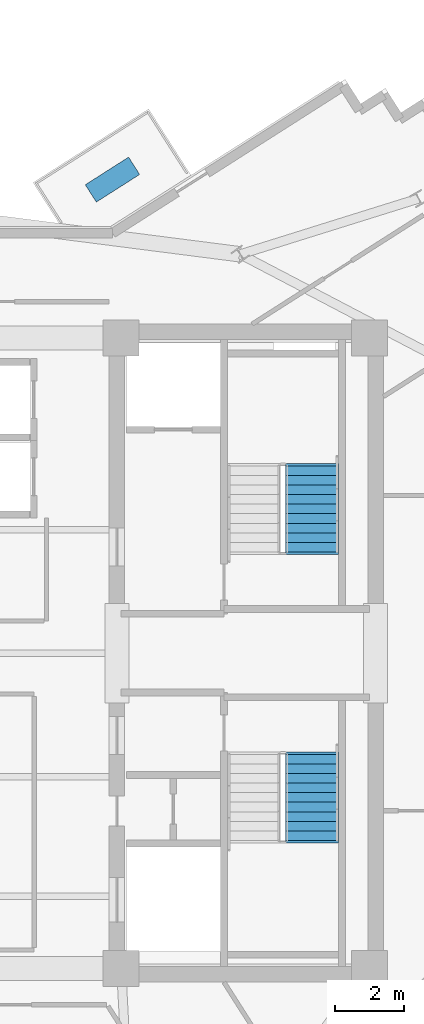
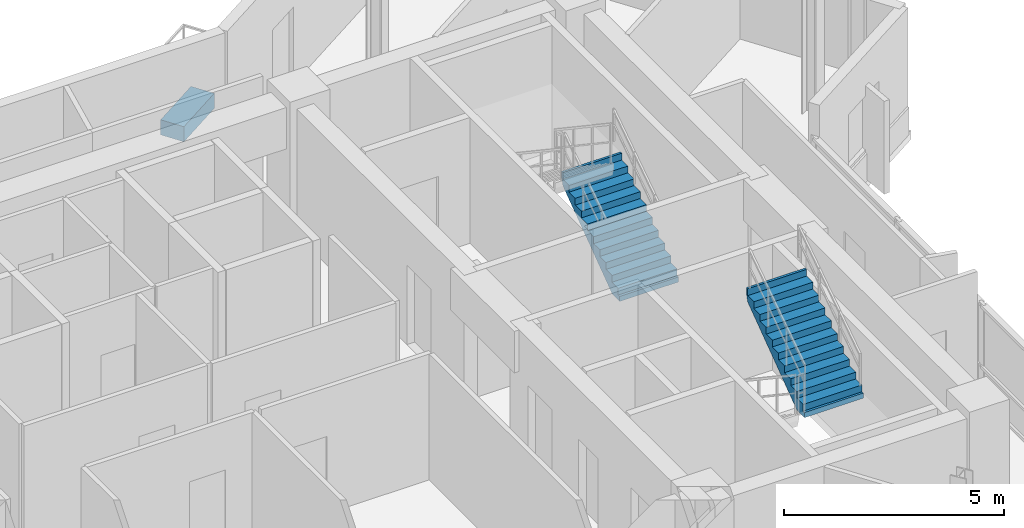
# One storey, part 9 of 12: 2 stair flights, 1 discrete accessory, 2 elements without a shape of their own.
"""IFC4 building model written with IfcOpenShell, lengths in metres."""

import ifcopenshell
import ifcopenshell.guid

model = None  # the IFC model being written
_history = None  # IfcOwnerHistory: only IFC2X3 demands one
_inside = {}  # id of a spatial element -> (the spatial element, [elements in it])
_under = {}  # id of a project, library or spatial element -> (it, [spatial elements below it])
_declared = {}  # id of a project -> (the project, [libraries it declares])
_typed = {}  # id of a type object -> (the type object, [elements of that type])
_made_of = {}  # id of a material, layer set ... -> (it, [elements and type objects made of it])


def new_model(schema):
    """Start an empty IFC model of exactly this schema.

    Asked for "IFC4X3", IfcOpenShell would pick the latest addendum, in which some entities
    have other attributes; the version numbers below select the first issue.
    IFC2X3 requires an IfcOwnerHistory on every rooted entity: one is made here for all.
    """
    global model, _history
    if schema == "IFC4X3":
        model = ifcopenshell.file(schema_version=(4, 3, 0, 0))
    else:
        model = ifcopenshell.file(schema=schema)
    _inside.clear()
    _under.clear()
    _declared.clear()
    _typed.clear()
    _made_of.clear()
    _history = None
    if model.schema == "IFC2X3":
        org = make("IfcOrganization", Name="unknown")
        user = make(
            "IfcPersonAndOrganization",
            ThePerson=make("IfcPerson", FamilyName="unknown"),
            TheOrganization=org,
        )
        app = make(
            "IfcApplication",
            ApplicationDeveloper=org,
            Version="unknown",
            ApplicationFullName="unknown",
            ApplicationIdentifier="unknown",
        )
        _history = make(
            "IfcOwnerHistory",
            OwningUser=user,
            OwningApplication=app,
            ChangeAction="ADDED",
            CreationDate=0,
        )
    return model


def make(cls, **values):
    """One entity of the class cls with the attributes given. An attribute that is None is left unset."""
    return model.create_entity(
        cls, **{name: value for name, value in values.items() if value is not None}
    )


def rooted(cls, **values):
    """An entity with a GlobalId (a new one), such as an element, a storey or a relation."""
    return make(cls, GlobalId=ifcopenshell.guid.new(), OwnerHistory=_history, **values)


def si_unit(unit_type, name, prefix=None):
    """IfcSIUnit, for example si_unit("LENGTHUNIT", "METRE", prefix="MILLI")."""
    return make("IfcSIUnit", UnitType=unit_type, Prefix=prefix, Name=name)


def assignment(units):
    """IfcUnitAssignment: the units of a project."""
    return None if units is None else make("IfcUnitAssignment", Units=units)


def point(xyz):
    """IfcCartesianPoint."""
    return None if xyz is None else make("IfcCartesianPoint", Coordinates=xyz)


def direction(xyz):
    """IfcDirection."""
    return None if xyz is None else make("IfcDirection", DirectionRatios=xyz)


def frame(location, z_axis=None, x_axis=None):
    """IfcAxis2Placement3D, a coordinate frame: its origin and axes. An axis left out is left unset."""
    return make(
        "IfcAxis2Placement3D",
        Location=point(location),
        Axis=direction(z_axis),
        RefDirection=direction(x_axis),
    )


def frame_2d(location, x_axis=None):
    """IfcAxis2Placement2D, a coordinate frame in the plane: its origin and x axis."""
    return make(
        "IfcAxis2Placement2D", Location=point(location), RefDirection=direction(x_axis)
    )


def origin():
    """The frame at (0, 0, 0) with its axes left unset."""
    return frame((0.0, 0.0, 0.0))


def origin_2d():
    """The frame at (0, 0) in the plane with its x axis left unset."""
    return frame_2d((0.0, 0.0))


def place(relative_to, where):
    """IfcLocalPlacement: puts the frame where relative to a parent placement (None: the world)."""
    return make(
        "IfcLocalPlacement", PlacementRelTo=relative_to, RelativePlacement=where
    )


def context(
    kind, dimensions, precision=None, world=None, true_north=None, identifier=None
):
    """IfcGeometricRepresentationContext, for example the 3D "Model" context."""
    return make(
        "IfcGeometricRepresentationContext",
        ContextIdentifier=identifier,
        ContextType=kind,
        CoordinateSpaceDimension=dimensions,
        Precision=precision,
        WorldCoordinateSystem=world,
        TrueNorth=true_north,
    )


def subcontext(parent, identifier, kind, view, scale=None):
    """IfcGeometricRepresentationSubContext, for example "Body" below "Model"."""
    return make(
        "IfcGeometricRepresentationSubContext",
        ContextIdentifier=identifier,
        ContextType=kind,
        ParentContext=parent,
        TargetScale=scale,
        TargetView=view,
    )


def project(units=None, contexts=None):
    """IfcProject with its units and contexts."""
    return rooted(
        "IfcProject",
        Name="project",
        RepresentationContexts=contexts,
        UnitsInContext=assignment(units),
    )


def spatial(cls, under=None, at=None, **own):
    """A site, building, storey or space (cls), placed at a placement, below another one or the project."""
    s = rooted(cls, ObjectPlacement=at, **own)
    if under is not None:
        _under.setdefault(under.id(), (under, []))[1].append(s)
    return s


def polyline(points):
    """IfcPolyline through the points."""
    return make("IfcPolyline", Points=[point(p) for p in points])


def profile(cls, at=None, kind="AREA", **sizes):
    """A parametric profile (cls). Its sizes go by their IFC names, for example OverallWidth=200.0."""
    return make(cls, ProfileType=kind, Position=at, **sizes)


def rectangle(**sizes):
    """IfcRectangleProfileDef."""
    return profile("IfcRectangleProfileDef", **sizes)


def outline(outer, holes=None, kind="AREA"):
    """IfcArbitraryClosedProfileDef: a profile drawn as a closed curve; with holes, ...WithVoids."""
    if holes is None:
        return make("IfcArbitraryClosedProfileDef", ProfileType=kind, OuterCurve=outer)
    return make(
        "IfcArbitraryProfileDefWithVoids",
        ProfileType=kind,
        OuterCurve=outer,
        InnerCurves=holes,
    )


def extrude(swept, where, along, depth):
    """IfcExtrudedAreaSolid: the profile swept, set in the frame where, extruded along a direction by depth."""
    return make(
        "IfcExtrudedAreaSolid",
        SweptArea=swept,
        Position=where,
        ExtrudedDirection=direction(along),
        Depth=depth,
    )


def shape(context_of_items, identifier, shape_type, items):
    """IfcShapeRepresentation: the items that make up one representation, for example the "Body"."""
    return make(
        "IfcShapeRepresentation",
        ContextOfItems=context_of_items,
        RepresentationIdentifier=identifier,
        RepresentationType=shape_type,
        Items=items,
    )


def source(mapping_origin, context_of_items, identifier, shape_type, items):
    """IfcRepresentationMap: a shape defined once, which mapped items show again and again."""
    return make(
        "IfcRepresentationMap",
        MappingOrigin=mapping_origin,
        MappedRepresentation=shape(context_of_items, identifier, shape_type, items),
    )


def transform(
    local_origin,
    x_axis=None,
    y_axis=None,
    z_axis=None,
    scale=None,
    scale2=None,
    scale3=None,
    uniform=True,
):
    """IfcCartesianTransformationOperator3D, or its non-uniform kind. x_axis, y_axis, z_axis: its Axis1, 2, 3."""
    if uniform:
        return make(
            "IfcCartesianTransformationOperator3D",
            Axis1=direction(x_axis),
            Axis2=direction(y_axis),
            LocalOrigin=point(local_origin),
            Scale=scale,
            Axis3=direction(z_axis),
        )
    return make(
        "IfcCartesianTransformationOperator3DnonUniform",
        Axis1=direction(x_axis),
        Axis2=direction(y_axis),
        LocalOrigin=point(local_origin),
        Scale=scale,
        Axis3=direction(z_axis),
        Scale2=scale2,
        Scale3=scale3,
    )


def mapped(mapping_source, mapping_target):
    """IfcMappedItem: shows the shape of a source again, moved by a transform."""
    return make(
        "IfcMappedItem", MappingSource=mapping_source, MappingTarget=mapping_target
    )


def material(Name=None, Category=None):
    """IfcMaterial."""
    return make("IfcMaterial", Name=Name, Category=Category)


def made_of(thing, what):
    """Note that an element or type object is made of a material, layer set ...; save() writes the relation."""
    if what is not None:
        _made_of.setdefault(what.id(), (what, []))[1].append(thing)
    return thing


def type_object(cls, material=None, **own):
    """A type object (cls), such as IfcWallType, which elements share."""
    return made_of(rooted(cls, **own), material)


def element(
    cls,
    number,
    at=None,
    inside=None,
    cuts=None,
    type_object=None,
    material=None,
    context=None,
    identifier="Body",
    shape_type=None,
    held_by="IfcProductDefinitionShape",
    body=None,
    shapes=None,
    **own,
):
    """One element of the class cls, such as IfcWall. Its Tag is "e" and its number.

    at: its placement. inside: the storey or other place that contains it. cuts: it is an
    opening in that element (IfcRelVoidsElement). A single representation is given by context,
    identifier, shape_type and body (its items); several are given by shapes. held_by: the class
    of the entity that holds the representations. save() writes the other relations.
    """
    e = rooted(cls, Tag="e%d" % number, ObjectPlacement=at, **own)
    if body is not None:
        shapes = [shape(context, identifier, shape_type, body)]
    if shapes is not None:
        e.Representation = make(held_by, Representations=shapes)
    if inside is not None:
        _inside.setdefault(inside.id(), (inside, []))[1].append(e)
    if cuts is not None:
        rooted(
            "IfcRelVoidsElement", RelatingBuildingElement=cuts, RelatedOpeningElement=e
        )
    if type_object is not None:
        _typed.setdefault(type_object.id(), (type_object, []))[1].append(e)
    return made_of(e, material)


def aggregate(whole, parts):
    """IfcRelAggregates: a whole, such as a stair, and the parts it consists of."""
    return rooted("IfcRelAggregates", RelatingObject=whole, RelatedObjects=parts)


def save(model, path):
    """Write the relations noted so far, then the file.

    IfcRelAggregates (storeys below a building ...), IfcRelContainedInSpatialStructure (elements
    in a storey), IfcRelDefinesByType, IfcRelAssociatesMaterial and IfcRelDeclares: one each for
    every whole, place, type object, material and project.
    """
    for whole, parts in _under.values():
        aggregate(whole, parts)
    for where, things in _inside.values():
        rooted(
            "IfcRelContainedInSpatialStructure",
            RelatedElements=things,
            RelatingStructure=where,
        )
    for kind, things in _typed.values():
        rooted("IfcRelDefinesByType", RelatedObjects=things, RelatingType=kind)
    for what, things in _made_of.values():
        rooted("IfcRelAssociatesMaterial", RelatedObjects=things, RelatingMaterial=what)
    for by, libraries in _declared.values():
        rooted("IfcRelDeclares", RelatingContext=by, RelatedDefinitions=libraries)
    model.write(path)


model = new_model("IFC4")

# Units and contexts
model_context = context("Model", 3, precision=1e-05, world=origin(), true_north=direction((0.0, 1.0)))
body_context = subcontext(model_context, "Body", "Model", "MODEL_VIEW")
ifc_project = project(units=[si_unit("LENGTHUNIT", "METRE"), si_unit("AREAUNIT", "SQUARE_METRE"), si_unit("VOLUMEUNIT", "CUBIC_METRE"), si_unit("PLANEANGLEUNIT", "RADIAN"), si_unit("MASSUNIT", "GRAM", prefix="KILO")], contexts=[model_context])

# Site, building, storey
site_placement = place(None, origin())
site = spatial("IfcSite", under=ifc_project, at=site_placement, CompositionType="ELEMENT")
building_placement = place(site_placement, origin())
building = spatial("IfcBuilding", under=site, at=building_placement, Name="Zahravan Cultural Tower", CompositionType="ELEMENT")
storey_placement = place(building_placement, frame((0.0, 0.0, 269.10009765625)))
storey = spatial("IfcBuildingStorey", under=building, at=storey_placement, Name="L64", CompositionType="ELEMENT", Elevation=269.10009765625)

# Stair, stair flight
ifc_material_1 = material(Name="Concrete C45/55", Category="concrete")
stair_type = type_object("IfcStairType", Name="STR-DL-1550-375", PredefinedType="HALF_TURN_STAIR", material=ifc_material_1)
stair_1_placement = place(storey_placement, origin())
stair_1 = element("IfcStair", 1, at=stair_1_placement, inside=storey, type_object=stair_type, Name="L64 East Core North Exit Stair ST-E1", PredefinedType="HALF_TURN_STAIR")
stair_flight_type = type_object("IfcStairFlightType", Name="FLG-DL-1550-375", PredefinedType="STRAIGHT", material=ifc_material_1)
stair_flight_1_placement = place(storey_placement, frame((48.675048828125, 29.949951171875, 0.0), z_axis=(0.0, 0.0, 1.0), x_axis=(0.0, 1.0, 0.0)))
stair_flight_1 = element("IfcStairFlight", 2, at=stair_flight_1_placement, type_object=stair_flight_type, Name="ST-E1 flight 1", NumberOfRisers=10, NumberOfTreads=9, PredefinedType="STRAIGHT", RiserHeight=0.1875, TreadLength=0.28, context=body_context, shape_type="SweptSolid", body=[
    extrude(outline(polyline([(-0.06494140625, -0.139892578125), (-0.06494140625, 0.0), (0.0, 0.0), (0.0, 0.1875), (0.280029296875, 0.1875), (0.280029296875, 0.375), (0.56005859375, 0.375), (0.56005859375, 0.5625), (0.840087890625, 0.5625), (0.840087890625, 0.75), (1.1201171875, 0.75), (1.1201171875, 0.9375), (1.39990234375, 0.9375), (1.39990234375, 1.125), (1.679931640625, 1.125), (1.679931640625, 1.3125), (1.9599609375, 1.3125), (1.9599609375, 1.5), (2.239990234375, 1.5), (2.239990234375, 1.6875), (2.52001953125, 1.6875), (2.52001953125, 1.875), (2.5849609375, 1.875), (2.5849609375, 1.72509765625), (2.52001953125, 1.507080078125), (0.26953125, -0.139892578125), (-0.06494140625, -0.139892578125)])), frame((0.0, 0.77490234375, 0.0), z_axis=(0.0, -1.0, 0.0), x_axis=(1.0, 0.0, 0.0)), (0.0, 0.0, 1.0), 1.550048828125),
])
aggregate(stair_1, [stair_flight_1])

stair_2_placement = place(storey_placement, origin())
stair_2 = element("IfcStair", 3, at=stair_2_placement, inside=storey, type_object=stair_type, Name="L64 East Core South Exit Stair ST-E2", PredefinedType="HALF_TURN_STAIR")
stair_flight_2_placement = place(storey_placement, frame((48.675048828125, 21.530029296875, 1.875), z_axis=(0.0, 0.0, 1.0), x_axis=(0.0, 1.0, 0.0)))
stair_flight_2 = element("IfcStairFlight", 4, at=stair_flight_2_placement, type_object=stair_flight_type, Name="ST-E2 flight 2", NumberOfRisers=10, NumberOfTreads=9, PredefinedType="STRAIGHT", RiserHeight=0.1875, TreadLength=0.28, context=body_context, shape_type="SweptSolid", body=[
    extrude(outline(polyline([(-0.06494140625, -0.139892578125), (-0.06494140625, 0.0), (0.0, 0.0), (0.0, 0.1875), (0.280029296875, 0.1875), (0.280029296875, 0.375), (0.56005859375, 0.375), (0.56005859375, 0.5625), (0.840087890625, 0.5625), (0.840087890625, 0.75), (1.1201171875, 0.75), (1.1201171875, 0.9375), (1.39990234375, 0.9375), (1.39990234375, 1.125), (1.679931640625, 1.125), (1.679931640625, 1.3125), (1.9599609375, 1.3125), (1.9599609375, 1.5), (2.239990234375, 1.5), (2.239990234375, 1.6875), (2.52001953125, 1.6875), (2.52001953125, 1.875), (2.5849609375, 1.875), (2.5849609375, 1.72509765625), (2.52001953125, 1.507080078125), (0.26953125, -0.139892578125), (-0.06494140625, -0.139892578125)])), frame((0.0, 0.77490234375, 0.0), z_axis=(0.0, -1.0, 0.0), x_axis=(1.0, 0.0, 0.0)), (0.0, 0.0, 1.0), 1.550048828125),
])
aggregate(stair_2, [stair_flight_2])

# Discrete accessory
ifc_material_2 = material(Name="Planted soil and terracotta planter", Category="masonry")
discrete_accessory_type = type_object("IfcDiscreteAccessoryType", Name="ACC-PLANTER-TC", PredefinedType="USERDEFINED", material=ifc_material_2)
shared_shape = source(origin(), body_context, "Body", "SweptSolid", [
    extrude(rectangle(XDim=1.5, YDim=0.60009765625, at=origin_2d()), origin(), (0.0, 0.0, 1.0), 0.419921875),
])
discrete_accessory_placement = place(storey_placement, frame((42.846435546875, 40.820556640625, 0.0), z_axis=(0.0, 0.0, 1.0), x_axis=(0.843391445813, 0.537299608347, 0.0)))
element("IfcDiscreteAccessory", 5, at=discrete_accessory_placement, inside=storey, type_object=discrete_accessory_type, Name="L64 Terracotta Sculpture Planter NE", ObjectType="PLANTER", PredefinedType="USERDEFINED", context=body_context, shape_type="MappedRepresentation", body=[
    mapped(shared_shape, transform((0.0, 0.0, 0.0), x_axis=(1.0, 0.0, 0.0), y_axis=(0.0, 1.0, 0.0), z_axis=(0.0, 0.0, 1.0), scale=1.0)),
])

save(model, "model.ifc")
